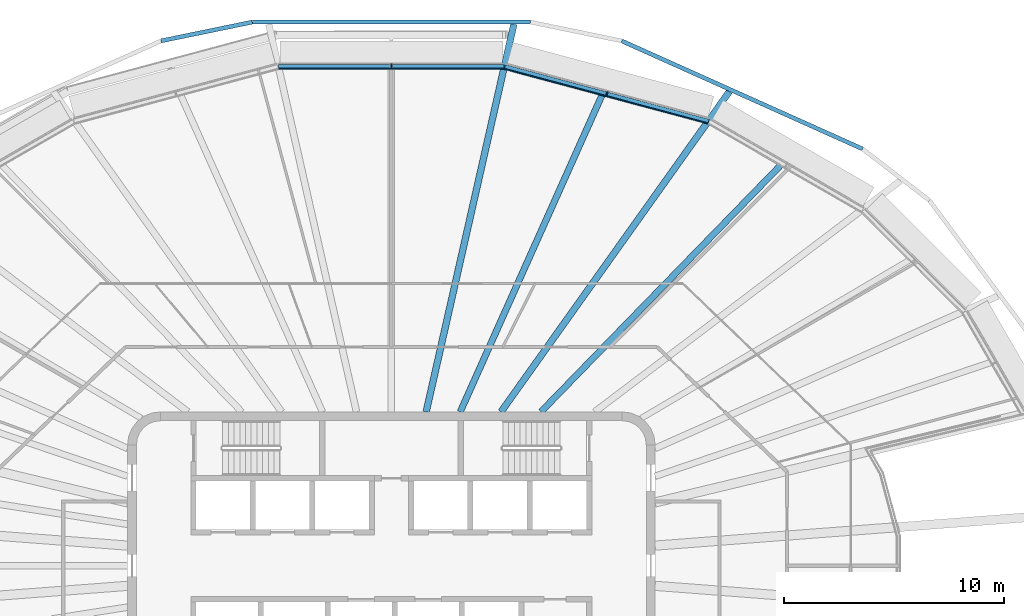
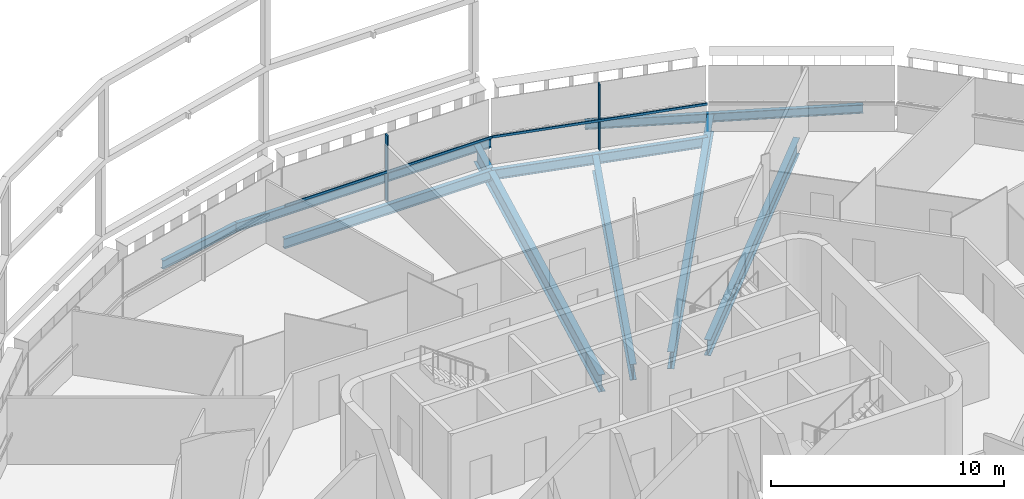
# One storey, part 7 of 21: 9 beams, 4 members, 2 elements without a shape of their own.
"""IFC4 building model written with IfcOpenShell, lengths in metres."""

from ifc_helpers import new_model, si_unit, direction, frame, origin, origin_2d, place, context, subcontext, project, spatial, rectangle, i_section, extrude, material, layer, layer_set, material_profile, profile_set, type_object, element, aggregate, save


model = new_model("IFC4")

# Units and contexts
model_context = context("Model", 3, precision=1e-05, world=origin(), true_north=direction((0.0, 1.0)))
body_context = subcontext(model_context, "Body", "Model", "MODEL_VIEW")
ifc_project = project(units=[si_unit("LENGTHUNIT", "METRE"), si_unit("AREAUNIT", "SQUARE_METRE"), si_unit("VOLUMEUNIT", "CUBIC_METRE"), si_unit("PLANEANGLEUNIT", "RADIAN"), si_unit("MASSUNIT", "GRAM", prefix="KILO")], contexts=[model_context])

# Site, building, storey
site_placement = place(None, origin())
site = spatial("IfcSite", under=ifc_project, at=site_placement, CompositionType="ELEMENT")
building_placement = place(site_placement, origin())
building = spatial("IfcBuilding", under=site, at=building_placement, Name="Sahrelin Media Tower", CompositionType="ELEMENT")
storey_placement = place(building_placement, frame((0.0, 0.0, 263.0)))
storey = spatial("IfcBuildingStorey", under=building, at=storey_placement, Name="L57", CompositionType="ELEMENT", Elevation=263.0)

# Beams
ifc_material_1 = material(Name="Steel S355", Category="steel")
ifc_material_profile_1 = material_profile(ifc_material_1, i_section(OverallWidth=0.208740234375, OverallDepth=0.5283203125, WebThickness=0.009521484375, FlangeThickness=0.01318359375, FilletRadius=0.0126953125, at=origin_2d()), Name="UB 533x210x82")
ifc_profile_set_1 = profile_set([ifc_material_profile_1], Name="Steel S355")
beam_type_1 = type_object("IfcBeamType", Name="Edge beam EB6", PredefinedType="BEAM", material=ifc_profile_set_1)
beam_1_placement = place(storey_placement, frame((-5.1357421875, 22.6953125, -0.4140625), z_axis=(1.0, 0.0, 0.0), x_axis=(0.0, 1.0, 0.0)))
element("IfcBeam", 1, at=beam_1_placement, inside=storey, type_object=beam_type_1, Name="Edge beam L57-16", PredefinedType="BEAM", context=body_context, shape_type="SweptSolid", body=[
    extrude(i_section(OverallWidth=0.208740234375, OverallDepth=0.5283203125, WebThickness=0.009521484375, FlangeThickness=0.01318359375, FilletRadius=0.0126953125, at=origin_2d()), origin(), (0.0, 0.0, 1.0), 10.271484375),
])
beam_2_placement = place(storey_placement, frame((5.164306640625, 22.69140625, -0.4140625), z_axis=(0.965930101275, -0.258803090112, 0.0), x_axis=(0.258803090112, 0.965930101275, 0.0)))
element("IfcBeam", 2, at=beam_2_placement, inside=storey, type_object=beam_type_1, Name="Edge beam L57-17", PredefinedType="BEAM", context=body_context, shape_type="SweptSolid", body=[
    extrude(i_section(OverallWidth=0.208740234375, OverallDepth=0.5283203125, WebThickness=0.009521484375, FlangeThickness=0.01318359375, FilletRadius=0.0126953125, at=origin_2d()), origin(), (0.0, 0.0, 1.0), 9.592041015625),
])

# Curtain wall, member
ifc_material_2 = material(Name="Champagne anodised aluminium 6063-T6", Category="aluminium")
ifc_layer = layer(ifc_material_2, 0.14990234375)
ifc_layer_set = layer_set([ifc_layer], Name="Tower ribbon curtain wall")
curtain_wall_type = type_object("IfcCurtainWallType", Name="Tower ribbon curtain wall", PredefinedType="NOTDEFINED", material=ifc_layer_set)
curtain_wall_1_placement = place(storey_placement, frame((9.835693359375, 21.59521484375, 0.0), z_axis=(0.0, 0.0, 1.0), x_axis=(1.0, 0.0, 0.0)))
curtain_wall_1 = element("IfcCurtainWall", 3, at=curtain_wall_1_placement, inside=storey, type_object=curtain_wall_type, Name="L57:CW:L57-05", PredefinedType="NOTDEFINED")
ifc_material_profile_2 = material_profile(ifc_material_2, rectangle(XDim=0.06005859375, YDim=0.199951171875, at=origin_2d()), Name="Mullion 60x200")
ifc_profile_set_2 = profile_set([ifc_material_profile_2], Name="Champagne anodised aluminium 6063-T6")
member_type_1 = type_object("IfcMemberType", Name="Mullion 60x200 CW1C", PredefinedType="MULLION", material=ifc_profile_set_2)
member_1_placement = place(storey_placement, frame((9.8046875, 21.479248046875, 0.0), z_axis=(0.0, 0.0, 1.0), x_axis=(-0.965925374563, 0.258820730961, 0.0)))
member_1 = element("IfcMember", 4, at=member_1_placement, type_object=member_type_1, Name="L57:CWM:L57-05", PredefinedType="MULLION", context=body_context, shape_type="SweptSolid", body=[
    extrude(rectangle(XDim=0.06005859375, YDim=0.199951171875, at=origin_2d()), origin(), (0.0, 0.0, 1.0), 3.448486328125),
])

curtain_wall_2_placement = place(storey_placement, frame((0.0, 22.84521484375, 0.0), z_axis=(0.0, 0.0, 1.0), x_axis=(1.0, 0.0, 0.0)))
curtain_wall_2 = element("IfcCurtainWall", 5, at=curtain_wall_2_placement, inside=storey, type_object=curtain_wall_type, Name="L57:CW:L57-06", PredefinedType="NOTDEFINED")
member_2_placement = place(storey_placement, frame((0.0, 22.725341796875, 0.0), z_axis=(0.0, 0.0, 1.0), x_axis=(-1.0, 0.0, 0.0)))
member_2 = element("IfcMember", 6, at=member_2_placement, type_object=member_type_1, Name="L57:CWM:L57-06", PredefinedType="MULLION", context=body_context, shape_type="SweptSolid", body=[
    extrude(rectangle(XDim=0.06005859375, YDim=0.199951171875, at=origin_2d()), origin(), (0.0, 0.0, 1.0), 3.448486328125),
])

# Beams
ifc_material_profile_3 = material_profile(ifc_material_1, i_section(OverallWidth=0.30322265625, OverallDepth=0.903076171875, WebThickness=0.01513671875, FlangeThickness=0.020263671875, FilletRadius=0.01904296875, at=origin_2d()), Name="UB 914x305x201")
ifc_profile_set_3 = profile_set([ifc_material_profile_3], Name="Steel S355")
beam_type_2 = type_object("IfcBeamType", Name="Radial primary beam PB11", PredefinedType="BEAM", material=ifc_profile_set_3)
beam_3_placement = place(storey_placement, frame((4.989501953125, 7.0, -0.6015625), z_axis=(0.580417178592, 0.814319285536, 0.0), x_axis=(-0.814319285536, 0.580417178592, 0.0)))
element("IfcBeam", 7, at=beam_3_placement, inside=storey, type_object=beam_type_2, Name="Radial beam L57-05", PredefinedType="BEAM", context=body_context, shape_type="SweptSolid", body=[
    extrude(i_section(OverallWidth=0.30322265625, OverallDepth=0.903076171875, WebThickness=0.01513671875, FlangeThickness=0.020263671875, FilletRadius=0.01904296875, at=origin_2d()), origin(), (0.0, 0.0, 1.0), 17.896484375),
])
beam_4_placement = place(storey_placement, frame((1.584228515625, 7.0, -0.6015625), z_axis=(0.220721688856, 0.975336832109, 0.0), x_axis=(-0.975336832109, 0.220721688856, 0.0)))
element("IfcBeam", 8, at=beam_4_placement, inside=storey, type_object=beam_type_2, Name="Radial beam L57-06", PredefinedType="BEAM", context=body_context, shape_type="SweptSolid", body=[
    extrude(i_section(OverallWidth=0.30322265625, OverallDepth=0.903076171875, WebThickness=0.01513671875, FlangeThickness=0.020263671875, FilletRadius=0.01904296875, at=origin_2d()), origin(), (0.0, 0.0, 1.0), 18.08154296875),
])
ifc_material_profile_4 = material_profile(ifc_material_1, i_section(OverallWidth=0.291748046875, OverallDepth=0.8349609375, WebThickness=0.013916015625, FlangeThickness=0.018798828125, FilletRadius=0.017822265625, at=origin_2d()), Name="UB 838x292x176")
ifc_profile_set_4 = profile_set([ifc_material_profile_4], Name="Steel S355")
beam_type_3 = type_object("IfcBeamType", Name="Radial secondary beam SB10", PredefinedType="BEAM", material=ifc_profile_set_4)
beam_5_placement = place(storey_placement, frame((6.804931640625, 7.0, -0.5673828125), z_axis=(0.697052085018, 0.717020495364, 0.0), x_axis=(-0.717020495364, 0.697052085018, 0.0)))
element("IfcBeam", 9, at=beam_5_placement, inside=storey, type_object=beam_type_3, Name="Secondary beam L57-03", PredefinedType="BEAM", context=body_context, shape_type="SweptSolid", body=[
    extrude(i_section(OverallWidth=0.291748046875, OverallDepth=0.8349609375, WebThickness=0.013916015625, FlangeThickness=0.018798828125, FilletRadius=0.017822265625, at=origin_2d()), origin(), (0.0, 0.0, 1.0), 15.637451171875),
])
beam_6_placement = place(storey_placement, frame((3.133544921875, 7.0, -0.5673828125), z_axis=(0.408590666076, 0.912717737088, 0.0), x_axis=(-0.912717737088, 0.408590666076, 0.0)))
element("IfcBeam", 10, at=beam_6_placement, inside=storey, type_object=beam_type_3, Name="Secondary beam L57-04", PredefinedType="BEAM", context=body_context, shape_type="SweptSolid", body=[
    extrude(i_section(OverallWidth=0.291748046875, OverallDepth=0.8349609375, WebThickness=0.013916015625, FlangeThickness=0.018798828125, FilletRadius=0.017822265625, at=origin_2d()), origin(), (0.0, 0.0, 1.0), 15.777587890625),
])
ifc_material_profile_5 = material_profile(ifc_material_1, i_section(OverallWidth=0.1904296875, OverallDepth=0.45703125, WebThickness=0.009033203125, FlangeThickness=0.014404296875, FilletRadius=0.01025390625, at=origin_2d()), Name="UB 457x191x74")
ifc_profile_set_5 = profile_set([ifc_material_profile_5], Name="Steel S355")
beam_type_4 = type_object("IfcBeamType", Name="Tie chord TC5", PredefinedType="BEAM", material=ifc_profile_set_5)
beam_7_placement = place(storey_placement, frame((21.436767578125, 18.96044921875, -0.37841796875), z_axis=(-0.912451749882, 0.409184315605, 0.0), x_axis=(-0.409184315605, -0.912451749882, 0.0)))
element("IfcBeam", 11, at=beam_7_placement, inside=storey, type_object=beam_type_4, Name="Tie chord L57-04", PredefinedType="BEAM", context=body_context, shape_type="SweptSolid", body=[
    extrude(i_section(OverallWidth=0.1904296875, OverallDepth=0.45703125, WebThickness=0.009033203125, FlangeThickness=0.014404296875, FilletRadius=0.01025390625, at=origin_2d()), origin(), (0.0, 0.0, 1.0), 12.009521484375),
])
beam_8_placement = place(storey_placement, frame((6.32666015625, 24.730712890625, -0.37841796875), z_axis=(-1.0, 0.0, 0.0), x_axis=(0.0, -1.0, 0.0)))
element("IfcBeam", 12, at=beam_8_placement, inside=storey, type_object=beam_type_4, Name="Tie chord L57-06", PredefinedType="BEAM", context=body_context, shape_type="SweptSolid", body=[
    extrude(i_section(OverallWidth=0.1904296875, OverallDepth=0.45703125, WebThickness=0.009033203125, FlangeThickness=0.014404296875, FilletRadius=0.01025390625, at=origin_2d()), origin(), (0.0, 0.0, 1.0), 12.6533203125),
])
beam_9_placement = place(storey_placement, frame((-6.32666015625, 24.730712890625, -0.37841796875), z_axis=(-0.979393768134, -0.201960013221, 0.0), x_axis=(0.201960013221, -0.979393768134, 0.0)))
element("IfcBeam", 13, at=beam_9_placement, inside=storey, type_object=beam_type_4, Name="Tie chord L57-07", PredefinedType="BEAM", context=body_context, shape_type="SweptSolid", body=[
    extrude(i_section(OverallWidth=0.1904296875, OverallDepth=0.45703125, WebThickness=0.009033203125, FlangeThickness=0.014404296875, FilletRadius=0.01025390625, at=origin_2d()), origin(), (0.0, 0.0, 1.0), 4.239501953125),
])

# Member
ifc_material_profile_6 = material_profile(ifc_material_2, rectangle(XDim=0.050048828125, YDim=0.1201171875, at=origin_2d()), Name="Transom 50x120")
ifc_profile_set_6 = profile_set([ifc_material_profile_6], Name="Champagne anodised aluminium 6063-T6")
member_type_2 = type_object("IfcMemberType", Name="Transom 50x120 CW1C", PredefinedType="USERDEFINED", material=ifc_profile_set_6)
member_3_placement = place(storey_placement, frame((14.3896484375, 20.121337890625, 1.60009765625), z_axis=(-0.965926963965, 0.258814799201, 0.0), x_axis=(-0.258814799201, -0.965926963965, 0.0)))
member_3 = element("IfcMember", 14, at=member_3_placement, type_object=member_type_2, Name="L57:CWT:L57-05", ObjectType="TRANSOM", PredefinedType="USERDEFINED", context=body_context, shape_type="SweptSolid", body=[
    extrude(rectangle(XDim=0.050048828125, YDim=0.1201171875, at=origin_2d()), origin(), (0.0, 0.0, 1.0), 9.560302734375),
])

aggregate(curtain_wall_1, [member_1, member_3])

member_4_placement = place(storey_placement, frame((5.1201171875, 22.600341796875, 1.60009765625), z_axis=(-1.0, 0.0, 0.0), x_axis=(0.0, -1.0, 0.0)))
member_4 = element("IfcMember", 15, at=member_4_placement, type_object=member_type_2, Name="L57:CWT:L57-06", ObjectType="TRANSOM", PredefinedType="USERDEFINED", context=body_context, shape_type="SweptSolid", body=[
    extrude(rectangle(XDim=0.050048828125, YDim=0.1201171875, at=origin_2d()), origin(), (0.0, 0.0, 1.0), 10.240234375),
])

aggregate(curtain_wall_2, [member_2, member_4])

save(model, "model.ifc")
